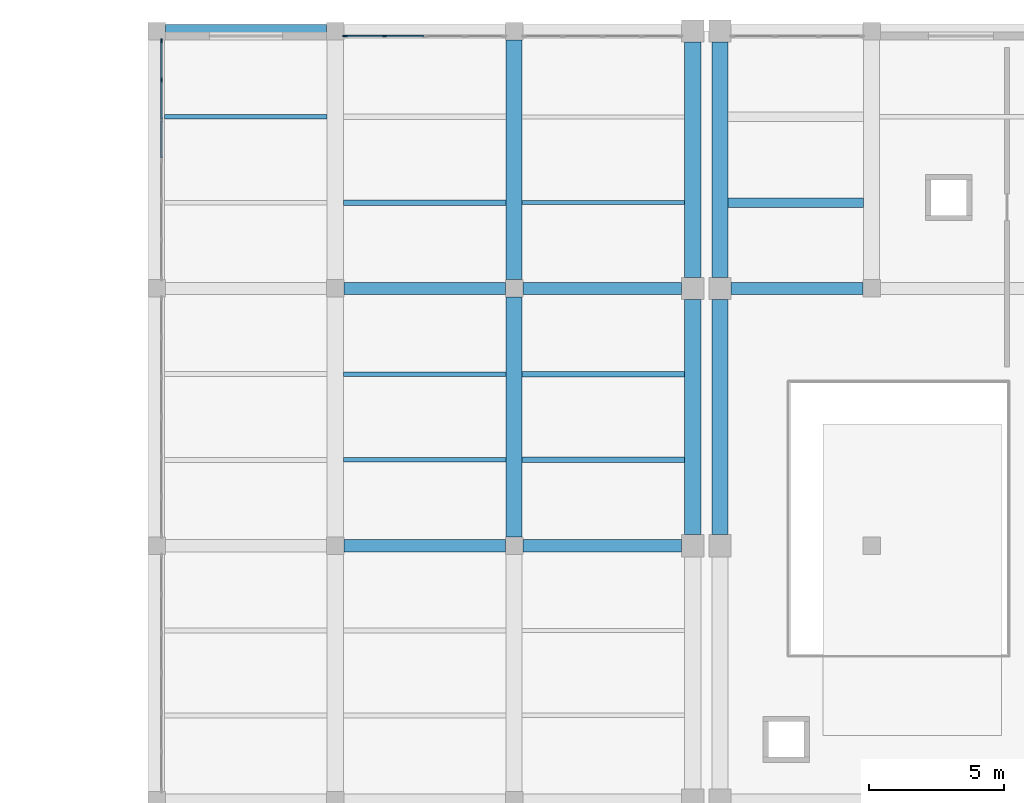
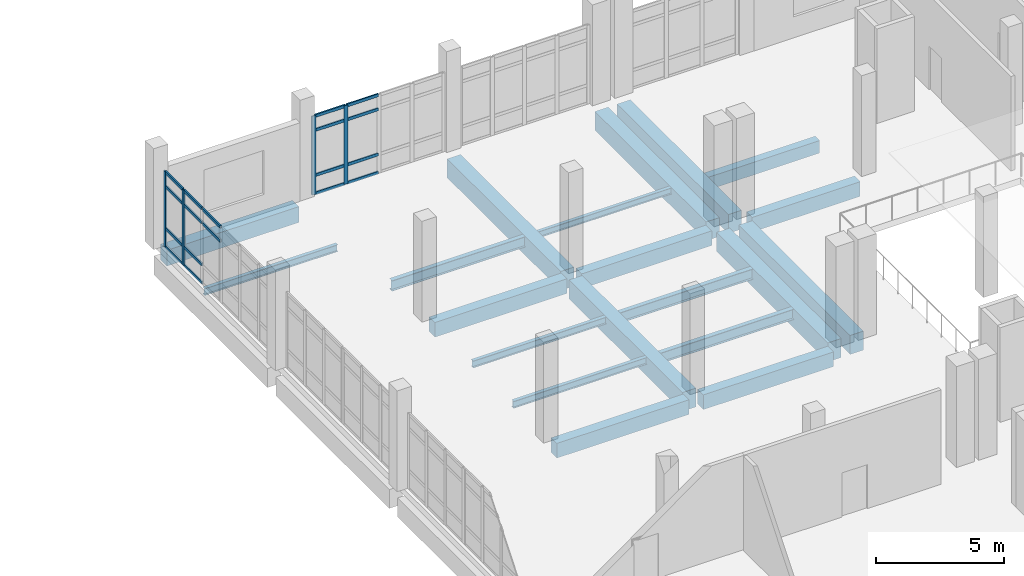
# One storey, part 39 of 90: 22 members, 20 beams, 2 elements without a shape of their own.
"""IFC4 building model written with IfcOpenShell, lengths in metres."""

from ifc_helpers import new_model, si_unit, direction, frame, origin, origin_2d, place, context, subcontext, project, spatial, rectangle, i_section, extrude, material, layer, layer_set, material_profile, profile_set, type_object, element, aggregate, save


model = new_model("IFC4")

# Units and contexts
model_context = context("Model", 3, precision=1e-05, world=origin(), true_north=direction((0.0, 1.0)))
body_context = subcontext(model_context, "Body", "Model", "MODEL_VIEW")
ifc_project = project(units=[si_unit("LENGTHUNIT", "METRE"), si_unit("AREAUNIT", "SQUARE_METRE"), si_unit("VOLUMEUNIT", "CUBIC_METRE"), si_unit("PLANEANGLEUNIT", "RADIAN"), si_unit("MASSUNIT", "GRAM", prefix="KILO")], contexts=[model_context])

# Site, building, storey
site_placement = place(None, origin())
site = spatial("IfcSite", under=ifc_project, at=site_placement, CompositionType="ELEMENT")
building_placement = place(site_placement, origin())
building = spatial("IfcBuilding", under=site, at=building_placement, Name="Kelarvand Opera House", CompositionType="ELEMENT")
storey_placement = place(building_placement, frame((0.0, 0.0, 5.39990234375)))
storey = spatial("IfcBuildingStorey", under=building, at=storey_placement, Name="L01", CompositionType="ELEMENT", Elevation=5.39990234375)

# Curtain wall, members
ifc_material_1 = material(Name="Thermally broken aluminium and low-E glazing", Category="aluminium")
ifc_layer_1 = layer(ifc_material_1, 0.179931640625, Name="Thermally broken aluminium and low-E glazing", Category="aluminium")
ifc_layer_set_1 = layer_set([ifc_layer_1], Name="Thermally broken aluminium and low-E glazing")
curtain_wall_type_1 = type_object("IfcCurtainWallType", Name="Unitised Low-E Curtain Wall 5930x3750 Mod 1450 CWF-44", PredefinedType="USERDEFINED", material=ifc_layer_set_1)
curtain_wall_1_placement = place(storey_placement, origin())
curtain_wall_1 = element("IfcCurtainWall", 1, at=curtain_wall_1_placement, inside=storey, type_object=curtain_wall_type_1, Name="V5 L01 Curtain Wall CWF-44 (180)", ObjectType="UNITISED CURTAIN WALL", PredefinedType="USERDEFINED")
ifc_material_2 = material(Name="Thermally broken anodised aluminium", Category="aluminium")
ifc_material_profile_1 = material_profile(ifc_material_2, rectangle(XDim=0.06494140625, YDim=0.179931640625, at=origin_2d()), Name="ALU MULLION 65x180", Category="aluminium")
ifc_profile_set_1 = profile_set([ifc_material_profile_1], Name="Thermally broken anodised aluminium")
member_type_1 = type_object("IfcMemberType", Name="Curtain Wall Mullion 65x180 Aluminium", PredefinedType="MULLION", material=ifc_profile_set_1)
member_1_placement = place(storey_placement, frame((102.5673828125, 124.820068359375, 0.0), z_axis=(0.0, 0.0, 1.0), x_axis=(0.0, 1.0, 0.0)))
member_1 = element("IfcMember", 2, at=member_1_placement, type_object=member_type_1, Name="CWF-44 mullion 1", PredefinedType="MULLION", context=body_context, shape_type="SweptSolid", body=[
    extrude(rectangle(XDim=0.06494140625, YDim=0.179931640625, at=origin_2d()), origin(), (0.0, 0.0, 1.0), 3.75),
])
member_2_placement = place(storey_placement, frame((104.017578125, 124.820068359375, 0.0), z_axis=(0.0, 0.0, 1.0), x_axis=(0.0, 1.0, 0.0)))
member_2 = element("IfcMember", 3, at=member_2_placement, type_object=member_type_1, Name="CWF-44 mullion 2", PredefinedType="MULLION", context=body_context, shape_type="SweptSolid", body=[
    extrude(rectangle(XDim=0.06494140625, YDim=0.179931640625, at=origin_2d()), origin(), (0.0, 0.0, 1.0), 3.75),
])

ifc_layer_2 = layer(ifc_material_1, 0.179931640625, Name="Thermally broken aluminium and low-E glazing", Category="aluminium")
ifc_layer_set_2 = layer_set([ifc_layer_2], Name="Thermally broken aluminium and low-E glazing")
curtain_wall_type_2 = type_object("IfcCurtainWallType", Name="Unitised Low-E Curtain Wall 4411x3600 Mod 1450 CWF-41", PredefinedType="USERDEFINED", material=ifc_layer_set_2)
curtain_wall_2_placement = place(storey_placement, origin())
curtain_wall_2 = element("IfcCurtainWall", 4, at=curtain_wall_2_placement, inside=storey, type_object=curtain_wall_type_2, Name="V5 L01 Curtain Wall CWF-41 (189)", ObjectType="UNITISED CURTAIN WALL", PredefinedType="USERDEFINED")
member_3_placement = place(storey_placement, frame((95.780029296875, 123.193359375, 0.0), z_axis=(0.0, 0.0, 1.0), x_axis=(-1.0, 0.0, 0.0)))
member_3 = element("IfcMember", 5, at=member_3_placement, type_object=member_type_1, Name="CWF-41 mullion 3", PredefinedType="MULLION", context=body_context, shape_type="SweptSolid", body=[
    extrude(rectangle(XDim=0.06494140625, YDim=0.179931640625, at=origin_2d()), origin(), (0.0, 0.0, 1.0), 3.60009765625),
])
member_4_placement = place(storey_placement, frame((95.780029296875, 124.632568359375, 0.0), z_axis=(0.0, 0.0, 1.0), x_axis=(-1.0, 0.0, 0.0)))
member_4 = element("IfcMember", 6, at=member_4_placement, type_object=member_type_1, Name="CWF-41 mullion 4", PredefinedType="MULLION", context=body_context, shape_type="SweptSolid", body=[
    extrude(rectangle(XDim=0.06494140625, YDim=0.179931640625, at=origin_2d()), origin(), (0.0, 0.0, 1.0), 3.60009765625),
])

# Member
ifc_material_profile_2 = material_profile(ifc_material_2, rectangle(XDim=0.06494140625, YDim=0.139892578125, at=origin_2d()), Name="ALU TRANSOM 65x140", Category="aluminium")
ifc_profile_set_2 = profile_set([ifc_material_profile_2], Name="Thermally broken anodised aluminium")
member_type_2 = type_object("IfcMemberType", Name="Curtain Wall Transom 65x140 Aluminium", PredefinedType="USERDEFINED", material=ifc_profile_set_2)
member_5_placement = place(storey_placement, frame((102.60009765625, 124.820068359375, 0.03271484375), z_axis=(1.0, 0.0, 0.0), x_axis=(0.0, 1.0, 0.0)))
member_5 = element("IfcMember", 7, at=member_5_placement, type_object=member_type_2, Name="CWF-44 transom 1.1", ObjectType="TRANSOM", PredefinedType="USERDEFINED", context=body_context, shape_type="SweptSolid", body=[
    extrude(rectangle(XDim=0.06494140625, YDim=0.139892578125, at=origin_2d()), origin(), (0.0, 0.0, 1.0), 1.385009765625),
])

member_6_placement = place(storey_placement, frame((102.60009765625, 124.820068359375, 0.900146484375), z_axis=(1.0, 0.0, 0.0), x_axis=(0.0, 1.0, 0.0)))
member_6 = element("IfcMember", 8, at=member_6_placement, type_object=member_type_2, Name="CWF-44 transom 1.2", ObjectType="TRANSOM", PredefinedType="USERDEFINED", context=body_context, shape_type="SweptSolid", body=[
    extrude(rectangle(XDim=0.06494140625, YDim=0.139892578125, at=origin_2d()), origin(), (0.0, 0.0, 1.0), 1.385009765625),
])

member_7_placement = place(storey_placement, frame((102.60009765625, 124.820068359375, 3.050048828125), z_axis=(1.0, 0.0, 0.0), x_axis=(0.0, 1.0, 0.0)))
member_7 = element("IfcMember", 9, at=member_7_placement, type_object=member_type_2, Name="CWF-44 transom 1.3", ObjectType="TRANSOM", PredefinedType="USERDEFINED", context=body_context, shape_type="SweptSolid", body=[
    extrude(rectangle(XDim=0.06494140625, YDim=0.139892578125, at=origin_2d()), origin(), (0.0, 0.0, 1.0), 1.385009765625),
])

member_8_placement = place(storey_placement, frame((102.60009765625, 124.820068359375, 3.717529296875), z_axis=(1.0, 0.0, 0.0), x_axis=(0.0, 1.0, 0.0)))
member_8 = element("IfcMember", 10, at=member_8_placement, type_object=member_type_2, Name="CWF-44 transom 1.4", ObjectType="TRANSOM", PredefinedType="USERDEFINED", context=body_context, shape_type="SweptSolid", body=[
    extrude(rectangle(XDim=0.06494140625, YDim=0.139892578125, at=origin_2d()), origin(), (0.0, 0.0, 1.0), 1.385009765625),
])

member_9_placement = place(storey_placement, frame((104.050048828125, 124.820068359375, 0.03271484375), z_axis=(1.0, 0.0, 0.0), x_axis=(0.0, 1.0, 0.0)))
member_9 = element("IfcMember", 11, at=member_9_placement, type_object=member_type_2, Name="CWF-44 transom 2.1", ObjectType="TRANSOM", PredefinedType="USERDEFINED", context=body_context, shape_type="SweptSolid", body=[
    extrude(rectangle(XDim=0.06494140625, YDim=0.139892578125, at=origin_2d()), origin(), (0.0, 0.0, 1.0), 1.41748046875),
])

member_10_placement = place(storey_placement, frame((104.050048828125, 124.820068359375, 0.900146484375), z_axis=(1.0, 0.0, 0.0), x_axis=(0.0, 1.0, 0.0)))
member_10 = element("IfcMember", 12, at=member_10_placement, type_object=member_type_2, Name="CWF-44 transom 2.2", ObjectType="TRANSOM", PredefinedType="USERDEFINED", context=body_context, shape_type="SweptSolid", body=[
    extrude(rectangle(XDim=0.06494140625, YDim=0.139892578125, at=origin_2d()), origin(), (0.0, 0.0, 1.0), 1.41748046875),
])

member_11_placement = place(storey_placement, frame((104.050048828125, 124.820068359375, 3.050048828125), z_axis=(1.0, 0.0, 0.0), x_axis=(0.0, 1.0, 0.0)))
member_11 = element("IfcMember", 13, at=member_11_placement, type_object=member_type_2, Name="CWF-44 transom 2.3", ObjectType="TRANSOM", PredefinedType="USERDEFINED", context=body_context, shape_type="SweptSolid", body=[
    extrude(rectangle(XDim=0.06494140625, YDim=0.139892578125, at=origin_2d()), origin(), (0.0, 0.0, 1.0), 1.41748046875),
])

member_12_placement = place(storey_placement, frame((104.050048828125, 124.820068359375, 3.717529296875), z_axis=(1.0, 0.0, 0.0), x_axis=(0.0, 1.0, 0.0)))
member_12 = element("IfcMember", 14, at=member_12_placement, type_object=member_type_2, Name="CWF-44 transom 2.4", ObjectType="TRANSOM", PredefinedType="USERDEFINED", context=body_context, shape_type="SweptSolid", body=[
    extrude(rectangle(XDim=0.06494140625, YDim=0.139892578125, at=origin_2d()), origin(), (0.0, 0.0, 1.0), 1.41748046875),
])

aggregate(curtain_wall_1, [member_1, member_2, member_5, member_6, member_7, member_8, member_9, member_10, member_11, member_12])

member_13_placement = place(storey_placement, frame((95.780029296875, 120.31494140625, 2.900146484375), z_axis=(0.0, 1.0, 0.0), x_axis=(-1.0, 0.0, 0.0)))
member_13 = element("IfcMember", 15, at=member_13_placement, type_object=member_type_2, Name="CWF-41 transom 1.3", ObjectType="TRANSOM", PredefinedType="USERDEFINED", context=body_context, shape_type="SweptSolid", body=[
    extrude(rectangle(XDim=0.06494140625, YDim=0.139892578125, at=origin_2d()), origin(), (0.0, 0.0, 1.0), 1.374267578125),
])

member_14_placement = place(storey_placement, frame((95.780029296875, 120.31494140625, 3.567626953125), z_axis=(0.0, 1.0, 0.0), x_axis=(-1.0, 0.0, 0.0)))
member_14 = element("IfcMember", 16, at=member_14_placement, type_object=member_type_2, Name="CWF-41 transom 1.4", ObjectType="TRANSOM", PredefinedType="USERDEFINED", context=body_context, shape_type="SweptSolid", body=[
    extrude(rectangle(XDim=0.06494140625, YDim=0.139892578125, at=origin_2d()), origin(), (0.0, 0.0, 1.0), 1.374267578125),
])

member_15_placement = place(storey_placement, frame((95.780029296875, 121.754150390625, 0.03271484375), z_axis=(0.0, 1.0, 0.0), x_axis=(-1.0, 0.0, 0.0)))
member_15 = element("IfcMember", 17, at=member_15_placement, type_object=member_type_2, Name="CWF-41 transom 2.1", ObjectType="TRANSOM", PredefinedType="USERDEFINED", context=body_context, shape_type="SweptSolid", body=[
    extrude(rectangle(XDim=0.06494140625, YDim=0.139892578125, at=origin_2d()), origin(), (0.0, 0.0, 1.0), 1.40673828125),
])

member_16_placement = place(storey_placement, frame((95.780029296875, 121.754150390625, 0.900146484375), z_axis=(0.0, 1.0, 0.0), x_axis=(-1.0, 0.0, 0.0)))
member_16 = element("IfcMember", 18, at=member_16_placement, type_object=member_type_2, Name="CWF-41 transom 2.2", ObjectType="TRANSOM", PredefinedType="USERDEFINED", context=body_context, shape_type="SweptSolid", body=[
    extrude(rectangle(XDim=0.06494140625, YDim=0.139892578125, at=origin_2d()), origin(), (0.0, 0.0, 1.0), 1.40673828125),
])

member_17_placement = place(storey_placement, frame((95.780029296875, 121.754150390625, 2.900146484375), z_axis=(0.0, 1.0, 0.0), x_axis=(-1.0, 0.0, 0.0)))
member_17 = element("IfcMember", 19, at=member_17_placement, type_object=member_type_2, Name="CWF-41 transom 2.3", ObjectType="TRANSOM", PredefinedType="USERDEFINED", context=body_context, shape_type="SweptSolid", body=[
    extrude(rectangle(XDim=0.06494140625, YDim=0.139892578125, at=origin_2d()), origin(), (0.0, 0.0, 1.0), 1.40673828125),
])

member_18_placement = place(storey_placement, frame((95.780029296875, 121.754150390625, 3.567626953125), z_axis=(0.0, 1.0, 0.0), x_axis=(-1.0, 0.0, 0.0)))
member_18 = element("IfcMember", 20, at=member_18_placement, type_object=member_type_2, Name="CWF-41 transom 2.4", ObjectType="TRANSOM", PredefinedType="USERDEFINED", context=body_context, shape_type="SweptSolid", body=[
    extrude(rectangle(XDim=0.06494140625, YDim=0.139892578125, at=origin_2d()), origin(), (0.0, 0.0, 1.0), 1.40673828125),
])

member_19_placement = place(storey_placement, frame((95.780029296875, 123.225830078125, 0.03271484375), z_axis=(0.0, 1.0, 0.0), x_axis=(-1.0, 0.0, 0.0)))
member_19 = element("IfcMember", 21, at=member_19_placement, type_object=member_type_2, Name="CWF-41 transom 3.1", ObjectType="TRANSOM", PredefinedType="USERDEFINED", context=body_context, shape_type="SweptSolid", body=[
    extrude(rectangle(XDim=0.06494140625, YDim=0.139892578125, at=origin_2d()), origin(), (0.0, 0.0, 1.0), 1.374267578125),
])

member_20_placement = place(storey_placement, frame((95.780029296875, 123.225830078125, 0.900146484375), z_axis=(0.0, 1.0, 0.0), x_axis=(-1.0, 0.0, 0.0)))
member_20 = element("IfcMember", 22, at=member_20_placement, type_object=member_type_2, Name="CWF-41 transom 3.2", ObjectType="TRANSOM", PredefinedType="USERDEFINED", context=body_context, shape_type="SweptSolid", body=[
    extrude(rectangle(XDim=0.06494140625, YDim=0.139892578125, at=origin_2d()), origin(), (0.0, 0.0, 1.0), 1.374267578125),
])

member_21_placement = place(storey_placement, frame((95.780029296875, 123.225830078125, 2.900146484375), z_axis=(0.0, 1.0, 0.0), x_axis=(-1.0, 0.0, 0.0)))
member_21 = element("IfcMember", 23, at=member_21_placement, type_object=member_type_2, Name="CWF-41 transom 3.3", ObjectType="TRANSOM", PredefinedType="USERDEFINED", context=body_context, shape_type="SweptSolid", body=[
    extrude(rectangle(XDim=0.06494140625, YDim=0.139892578125, at=origin_2d()), origin(), (0.0, 0.0, 1.0), 1.374267578125),
])

member_22_placement = place(storey_placement, frame((95.780029296875, 123.225830078125, 3.567626953125), z_axis=(0.0, 1.0, 0.0), x_axis=(-1.0, 0.0, 0.0)))
member_22 = element("IfcMember", 24, at=member_22_placement, type_object=member_type_2, Name="CWF-41 transom 3.4", ObjectType="TRANSOM", PredefinedType="USERDEFINED", context=body_context, shape_type="SweptSolid", body=[
    extrude(rectangle(XDim=0.06494140625, YDim=0.139892578125, at=origin_2d()), origin(), (0.0, 0.0, 1.0), 1.374267578125),
])

aggregate(curtain_wall_2, [member_3, member_4, member_13, member_14, member_15, member_16, member_17, member_18, member_19, member_20, member_21, member_22])

# Beams
ifc_material_3 = material(Name="Concrete C35/45", Category="concrete")
ifc_material_profile_3 = material_profile(ifc_material_3, rectangle(XDim=0.35009765625, YDim=0.60009765625, at=origin_2d()), Name="RC 350x600", Category="concrete")
ifc_profile_set_3 = profile_set([ifc_material_profile_3], Name="Concrete C35/45")
beam_type_1 = type_object("IfcBeamType", Name="Structural Beam RC 350x600 BM-RC350x600", PredefinedType="BEAM", material=ifc_profile_set_3)
beam_1_placement = place(storey_placement, frame((116.699951171875, 118.666748046875, -0.599853515625), z_axis=(1.0, 0.0, 0.0), x_axis=(0.0, 1.0, 0.0)))
element("IfcBeam", 25, at=beam_1_placement, inside=storey, type_object=beam_type_1, Name="V5 L01 Beam BM-RC350x600", PredefinedType="BEAM", context=body_context, shape_type="SweptSolid", body=[
    extrude(rectangle(XDim=0.35009765625, YDim=0.60009765625, at=origin_2d()), origin(), (0.0, 0.0, 1.0), 5.0),
])
ifc_material_4 = material(Name="Concrete C40/50", Category="concrete")
ifc_material_profile_4 = material_profile(ifc_material_4, rectangle(XDim=0.449951171875, YDim=0.699951171875, at=origin_2d()), Name="RC 450x700", Category="concrete")
ifc_profile_set_4 = profile_set([ifc_material_profile_4], Name="Concrete C40/50")
beam_type_2 = type_object("IfcBeamType", Name="Structural Beam RC 450x700 BM-RC450x700", PredefinedType="BEAM", material=ifc_profile_set_4)
beam_2_placement = place(storey_placement, frame((102.52490234375, 106.0, -0.64990234375), z_axis=(1.0, 0.0, 0.0), x_axis=(0.0, 1.0, 0.0)))
element("IfcBeam", 26, at=beam_2_placement, inside=storey, type_object=beam_type_2, Name="V5 L01 Beam BM-RC450x700", PredefinedType="BEAM", context=body_context, shape_type="SweptSolid", body=[
    extrude(rectangle(XDim=0.449951171875, YDim=0.699951171875, at=origin_2d()), origin(), (0.0, 0.0, 1.0), 5.9501953125),
])
beam_3_placement = place(storey_placement, frame((109.125, 106.0, -0.64990234375), z_axis=(1.0, 0.0, 0.0), x_axis=(0.0, 1.0, 0.0)))
element("IfcBeam", 27, at=beam_3_placement, inside=storey, type_object=beam_type_2, Name="V5 L01 Beam BM-RC450x700", PredefinedType="BEAM", context=body_context, shape_type="SweptSolid", body=[
    extrude(rectangle(XDim=0.449951171875, YDim=0.699951171875, at=origin_2d()), origin(), (0.0, 0.0, 1.0), 5.864990234375),
])
beam_4_placement = place(storey_placement, frame((102.52490234375, 115.5, -0.64990234375), z_axis=(1.0, 0.0, 0.0), x_axis=(0.0, 1.0, 0.0)))
element("IfcBeam", 28, at=beam_4_placement, inside=storey, type_object=beam_type_2, Name="V5 L01 Beam BM-RC450x700", PredefinedType="BEAM", context=body_context, shape_type="SweptSolid", body=[
    extrude(rectangle(XDim=0.449951171875, YDim=0.699951171875, at=origin_2d()), origin(), (0.0, 0.0, 1.0), 5.9501953125),
])
beam_5_placement = place(storey_placement, frame((109.125, 115.5, -0.64990234375), z_axis=(1.0, 0.0, 0.0), x_axis=(0.0, 1.0, 0.0)))
element("IfcBeam", 29, at=beam_5_placement, inside=storey, type_object=beam_type_2, Name="V5 L01 Beam BM-RC450x700", PredefinedType="BEAM", context=body_context, shape_type="SweptSolid", body=[
    extrude(rectangle(XDim=0.449951171875, YDim=0.699951171875, at=origin_2d()), origin(), (0.0, 0.0, 1.0), 5.864990234375),
])
beam_6_placement = place(storey_placement, frame((116.81005859375, 115.5, -0.64990234375), z_axis=(1.0, 0.0, 0.0), x_axis=(0.0, 1.0, 0.0)))
element("IfcBeam", 30, at=beam_6_placement, inside=storey, type_object=beam_type_2, Name="V5 L01 Beam BM-RC450x700", PredefinedType="BEAM", context=body_context, shape_type="SweptSolid", body=[
    extrude(rectangle(XDim=0.449951171875, YDim=0.699951171875, at=origin_2d()), origin(), (0.0, 0.0, 1.0), 4.864990234375),
])
ifc_material_profile_5 = material_profile(ifc_material_4, rectangle(XDim=0.60009765625, YDim=0.89990234375, at=origin_2d()), Name="RC 600x900", Category="concrete")
ifc_profile_set_5 = profile_set([ifc_material_profile_5], Name="Concrete C40/50")
beam_type_3 = type_object("IfcBeamType", Name="Structural Beam RC 600x900 BM-RC600x900", PredefinedType="BEAM", material=ifc_profile_set_5)
for number, where, z_axis, x_axis, name in (
    (31, (108.800048828125, 106.324951171875, -0.75), (0.0, 1.0, 0.0), (-1.0, 0.0, 0.0), "V5 L01 Beam BM-RC600x900"),
    (32, (108.800048828125, 115.824951171875, -0.75), (0.0, 1.0, 0.0), (-1.0, 0.0, 0.0), "V5 L01 Beam BM-RC600x900"),
):
    element("IfcBeam", number, at=place(storey_placement, frame(where, z_axis=z_axis, x_axis=x_axis)), inside=storey, type_object=beam_type_3, Name=name, PredefinedType="BEAM", context=body_context, shape_type="SweptSolid", body=[
        extrude(rectangle(XDim=0.60009765625, YDim=0.89990234375, at=origin_2d()), origin(), (0.0, 0.0, 1.0), 8.85009765625),
    ])
for number, where, z_axis, x_axis, name in (
    (33, (115.39990234375, 106.409912109375, -0.75), (0.0, 1.0, 0.0), (-1.0, 0.0, 0.0), "V5 L01 Beam BM-RC600x900"),
    (34, (115.39990234375, 115.909912109375, -0.75), (0.0, 1.0, 0.0), (-1.0, 0.0, 0.0), "V5 L01 Beam BM-RC600x900"),
    (35, (116.39990234375, 106.409912109375, -0.75), (0.0, 1.0, 0.0), (-1.0, 0.0, 0.0), "V5 L01 Beam BM-RC600x900"),
    (36, (116.39990234375, 115.909912109375, -0.75), (0.0, 1.0, 0.0), (-1.0, 0.0, 0.0), "V5 L01 Beam BM-RC600x900"),
):
    element("IfcBeam", number, at=place(storey_placement, frame(where, z_axis=z_axis, x_axis=x_axis)), inside=storey, type_object=beam_type_3, Name=name, PredefinedType="BEAM", context=body_context, shape_type="SweptSolid", body=[
        extrude(rectangle(XDim=0.60009765625, YDim=0.89990234375, at=origin_2d()), origin(), (0.0, 0.0, 1.0), 8.68017578125),
    ])
ifc_material_5 = material(Name="Steel S355", Category="steel")
ifc_material_profile_6 = material_profile(ifc_material_5, i_section(OverallWidth=0.14990234375, OverallDepth=0.300048828125, WebThickness=0.007080078125, FlangeThickness=0.0107421875, at=origin_2d()), Name="IPE 300", Category="steel")
ifc_profile_set_6 = profile_set([ifc_material_profile_6], Name="Steel S355")
beam_type_4 = type_object("IfcBeamType", Name="Structural Joist IPE 300 JS-IPE300", PredefinedType="JOIST", material=ifc_profile_set_6)
beam_7_placement = place(storey_placement, frame((109.10009765625, 118.666748046875, -0.449951171875), z_axis=(1.0, 0.0, 0.0), x_axis=(0.0, 1.0, 0.0)))
element("IfcBeam", 37, at=beam_7_placement, inside=storey, type_object=beam_type_4, Name="V5 L01 Beam JS-IPE300", PredefinedType="JOIST", context=body_context, shape_type="SweptSolid", body=[
    extrude(i_section(OverallWidth=0.14990234375, OverallDepth=0.300048828125, WebThickness=0.007080078125, FlangeThickness=0.0107421875, at=origin_2d()), origin(), (0.0, 0.0, 1.0), 6.0),
])
ifc_material_profile_7 = material_profile(ifc_material_5, i_section(OverallWidth=0.159912109375, OverallDepth=0.330078125, WebThickness=0.007568359375, FlangeThickness=0.011474609375, at=origin_2d()), Name="IPE 330", Category="steel")
ifc_profile_set_7 = profile_set([ifc_material_profile_7], Name="Steel S355")
beam_type_5 = type_object("IfcBeamType", Name="Structural Joist IPE 330 JS-IPE330", PredefinedType="JOIST", material=ifc_profile_set_7)
for number, where, z_axis, x_axis, name in (
    (38, (95.89990234375, 121.833251953125, -0.46484375), (1.0, 0.0, 0.0), (0.0, 1.0, 0.0), "V5 L01 Beam JS-IPE330"),
    (39, (102.5, 109.166748046875, -0.46484375), (1.0, 0.0, 0.0), (0.0, 1.0, 0.0), "V5 L01 Beam JS-IPE330"),
    (40, (102.5, 112.333251953125, -0.46484375), (1.0, 0.0, 0.0), (0.0, 1.0, 0.0), "V5 L01 Beam JS-IPE330"),
):
    element("IfcBeam", number, at=place(storey_placement, frame(where, z_axis=z_axis, x_axis=x_axis)), inside=storey, type_object=beam_type_5, Name=name, PredefinedType="JOIST", context=body_context, shape_type="SweptSolid", body=[
        extrude(i_section(OverallWidth=0.159912109375, OverallDepth=0.330078125, WebThickness=0.007568359375, FlangeThickness=0.011474609375, at=origin_2d()), origin(), (0.0, 0.0, 1.0), 6.0),
    ])
ifc_material_profile_8 = material_profile(ifc_material_5, i_section(OverallWidth=0.199951171875, OverallDepth=0.5, WebThickness=0.01025390625, FlangeThickness=0.01611328125, at=origin_2d()), Name="IPE 500", Category="steel")
ifc_profile_set_8 = profile_set([ifc_material_profile_8], Name="Steel S355")
beam_type_6 = type_object("IfcBeamType", Name="Structural Joist IPE 500 JS-IPE500", PredefinedType="JOIST", material=ifc_profile_set_8)
for number, where, z_axis, x_axis, name in (
    (41, (102.5, 118.666748046875, -0.5498046875), (1.0, 0.0, 0.0), (0.0, 1.0, 0.0), "V5 L01 Beam JS-IPE500"),
    (42, (109.10009765625, 109.166748046875, -0.5498046875), (1.0, 0.0, 0.0), (0.0, 1.0, 0.0), "V5 L01 Beam JS-IPE500"),
    (43, (109.10009765625, 112.333251953125, -0.5498046875), (1.0, 0.0, 0.0), (0.0, 1.0, 0.0), "V5 L01 Beam JS-IPE500"),
):
    element("IfcBeam", number, at=place(storey_placement, frame(where, z_axis=z_axis, x_axis=x_axis)), inside=storey, type_object=beam_type_6, Name=name, PredefinedType="JOIST", context=body_context, shape_type="SweptSolid", body=[
        extrude(i_section(OverallWidth=0.199951171875, OverallDepth=0.5, WebThickness=0.01025390625, FlangeThickness=0.01611328125, at=origin_2d()), origin(), (0.0, 0.0, 1.0), 6.0),
    ])
ifc_material_profile_9 = material_profile(ifc_material_4, rectangle(XDim=0.5, YDim=0.75, at=origin_2d()), Name="RC 500x750", Category="concrete")
ifc_profile_set_9 = profile_set([ifc_material_profile_9], Name="Concrete C40/50")
beam_type_7 = type_object("IfcBeamType", Name="Structural Spandrel RC 500x750 SP-RC500x750E", PredefinedType="SPANDREL", material=ifc_profile_set_9)
beam_8_placement = place(storey_placement, frame((95.925048828125, 125.0, -0.6748046875), z_axis=(1.0, 0.0, 0.0), x_axis=(0.0, 1.0, 0.0)))
element("IfcBeam", 44, at=beam_8_placement, inside=storey, type_object=beam_type_7, Name="V5 L01 Beam SP-RC500x750E", PredefinedType="SPANDREL", context=body_context, shape_type="SweptSolid", body=[
    extrude(rectangle(XDim=0.5, YDim=0.75, at=origin_2d()), origin(), (0.0, 0.0, 1.0), 5.949951171875),
])

save(model, "model.ifc")
